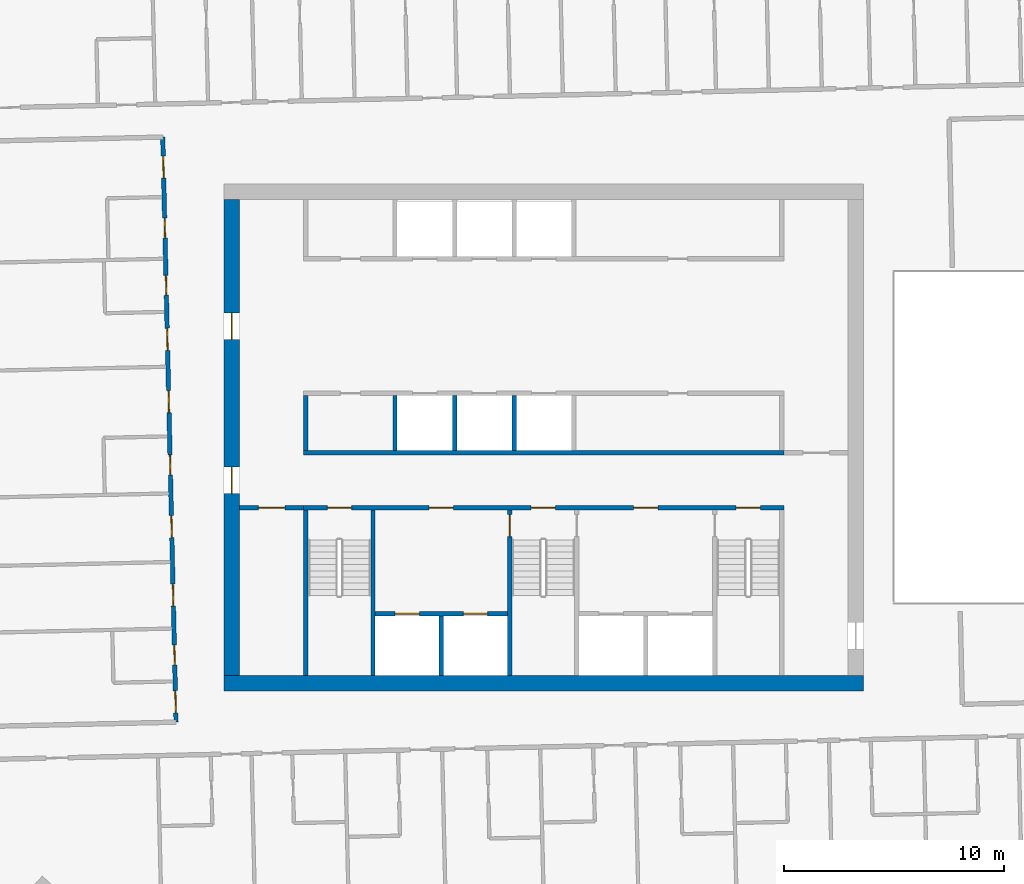
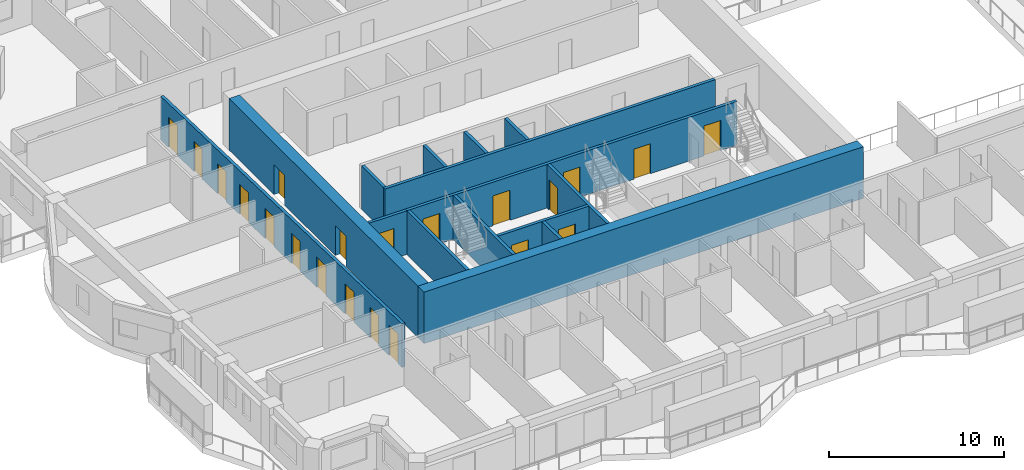
# One storey, part 9 of 20: 21 doors, 15 walls, 21 openings.
"""IFC4 building model written with IfcOpenShell, lengths in metres."""

from ifc_helpers import new_model, si_unit, direction, frame, frame_2d, origin, place, context, subcontext, project, spatial, rectangle, extrude, material, layer, layer_set, type_object, element, fill, save


model = new_model("IFC4")

# Units and contexts
model_context = context("Model", 3, precision=1e-05, world=origin(), true_north=direction((0.0, 1.0)))
body_context = subcontext(model_context, "Body", "Model", "MODEL_VIEW")
ifc_project = project(units=[si_unit("LENGTHUNIT", "METRE"), si_unit("AREAUNIT", "SQUARE_METRE"), si_unit("VOLUMEUNIT", "CUBIC_METRE"), si_unit("PLANEANGLEUNIT", "RADIAN"), si_unit("MASSUNIT", "GRAM", prefix="KILO")], contexts=[model_context])

# Site, building, storey
site_placement = place(None, origin())
site = spatial("IfcSite", under=ifc_project, at=site_placement, CompositionType="ELEMENT")
building_placement = place(site_placement, origin())
building = spatial("IfcBuilding", under=site, at=building_placement, Name="Mangrove Gate Tower", CompositionType="ELEMENT")
storey_placement = place(building_placement, frame((0.0, 0.0, 279.89990234375)))
storey = spatial("IfcBuildingStorey", under=building, at=storey_placement, Name="L71", CompositionType="ELEMENT", Elevation=279.89990234375)

# Wall, opening, door
ifc_material_1 = material(Name="Concrete C32/40", Category="concrete")
ifc_layer_1 = layer(ifc_material_1, 0.199951171875)
ifc_layer_set_1 = layer_set([ifc_layer_1], Name="Core lobby wall 200 C32/40")
wall_type_1 = type_object("IfcWallType", Name="Core lobby wall 200 C32/40", PredefinedType="STANDARD", material=ifc_layer_set_1)
wall_1_placement = place(storey_placement, frame((-13.800048828125, -3.199951171875, 0.0), z_axis=(0.0, 0.0, 1.0), x_axis=(1.0, 0.0, 0.0)))
wall_1 = element("IfcWall", 1, at=wall_1_placement, inside=storey, type_object=wall_type_1, Name="WALL-L71-CORE-31", PredefinedType="STANDARD", context=body_context, shape_type="SweptSolid", body=[
    extrude(rectangle(XDim=2.900146484375, YDim=0.199951171875, at=frame_2d((1.4501953125, 0.0))), origin(), (0.0, 0.0, 1.0), 3.050048828125),
])
opening_1_placement = place(wall_1_placement, frame((0.85009765625, 0.0, 0.0)))
opening_1 = element("IfcOpeningElement", 2, at=opening_1_placement, cuts=wall_1, Name="Opening FL12", PredefinedType="OPENING", context=body_context, shape_type="SweptSolid", body=[
    extrude(rectangle(XDim=1.199951171875, YDim=2.10009765625, at=frame_2d((0.60009765625, 1.050048828125))), frame((0.0, 0.10986328125, 0.0), z_axis=(0.0, -1.0, 0.0), x_axis=(1.0, 0.0, 0.0)), (0.0, 0.0, 1.0), 0.219970703125),
])
ifc_material_2 = material(Name="Fire-rated steel door set", Category="steel")
door_type_1 = type_object("IfcDoorType", Name="Lobby door FD60 1200x2100", OperationType="SINGLE_SWING_LEFT", PredefinedType="DOOR", material=ifc_material_2)
door_1_placement = place(opening_1_placement, origin())
door_1 = element("IfcDoor", 3, at=door_1_placement, inside=storey, type_object=door_type_1, Name="Lobby door core corridor W partition", OperationType="SINGLE_SWING_LEFT", OverallHeight=2.10009765625, OverallWidth=1.199951171875, PredefinedType="DOOR", context=body_context, shape_type="SweptSolid", body=[
    extrude(rectangle(XDim=1.199951171875, YDim=2.10009765625, at=frame_2d((0.60009765625, 1.050048828125))), frame((0.0, 0.02490234375, 0.0), z_axis=(0.0, -1.0, 0.0), x_axis=(1.0, 0.0, 0.0)), (0.0, 0.0, 1.0), 0.050048828125),
])
fill(opening_1, door_1)

# Walls
ifc_material_3 = material(Name="Concrete C32/40", Category="concrete")
ifc_layer_2 = layer(ifc_material_3, 0.199951171875)
ifc_layer_set_2 = layer_set([ifc_layer_2], Name="Core room wall 200 C32/40")
wall_type_2 = type_object("IfcWallType", Name="Core room wall 200 C32/40", PredefinedType="STANDARD", material=ifc_layer_set_2)
wall_2_placement = place(storey_placement, frame((-10.800048828125, -0.60009765625, 0.0), z_axis=(0.0, 0.0, 1.0), x_axis=(0.0, 1.0, 0.0)))
element("IfcWall", 4, at=wall_2_placement, inside=storey, type_object=wall_type_2, Name="WALL-L71-CORE-19", PredefinedType="STANDARD", context=body_context, shape_type="SweptSolid", body=[
    extrude(rectangle(XDim=2.5, YDim=0.199951171875, at=frame_2d((1.25, 0.0))), origin(), (0.0, 0.0, 1.0), 3.050048828125),
])
ifc_material_4 = material(Name="Concrete C50/60", Category="concrete")
ifc_layer_3 = layer(ifc_material_4, 0.199951171875)
ifc_layer_set_3 = layer_set([ifc_layer_3], Name="Core shaft wall 200 C50/60")
wall_type_3 = type_object("IfcWallType", Name="Core shaft wall 200 C50/60", PredefinedType="SHEAR", material=ifc_layer_set_3)
wall_3_placement = place(storey_placement, frame((-10.89990234375, -0.699951171875, 0.0), z_axis=(0.0, 0.0, 1.0), x_axis=(1.0, 0.0, 0.0)))
element("IfcWall", 5, at=wall_3_placement, inside=storey, type_object=wall_type_3, Name="WALL-L71-CORE-6", PredefinedType="SHEAR", context=body_context, shape_type="SweptSolid", body=[
    extrude(rectangle(XDim=21.7998046875, YDim=0.199951171875, at=frame_2d((10.89990234375, 0.0))), origin(), (0.0, 0.0, 1.0), 3.050048828125),
])

# Wall, openings, doors
wall_4_placement = place(storey_placement, frame((-7.64990234375, -8.0, 0.0), z_axis=(0.0, 0.0, 1.0), x_axis=(1.0, 0.0, 0.0)))
wall_4 = element("IfcWall", 6, at=wall_4_placement, inside=storey, type_object=wall_type_3, Name="WALL-L71-CORE-15", PredefinedType="SHEAR", context=body_context, shape_type="SweptSolid", body=[
    extrude(rectangle(XDim=6.0, YDim=0.199951171875, at=frame_2d((3.0, 0.0))), origin(), (0.0, 0.0, 1.0), 3.050048828125),
])
opening_2_placement = place(wall_4_placement, frame((0.89990234375, 0.0, 0.0)))
opening_2 = element("IfcOpeningElement", 7, at=opening_2_placement, cuts=wall_4, Name="Opening LD", PredefinedType="OPENING", context=body_context, shape_type="SweptSolid", body=[
    extrude(rectangle(XDim=1.10009765625, YDim=2.10009765625, at=frame_2d((0.550048828125, 1.050048828125))), frame((0.0, 0.10986328125, 0.0), z_axis=(0.0, -1.0, 0.0), x_axis=(1.0, 0.0, 0.0)), (0.0, 0.0, 1.0), 0.219970703125),
])
opening_3_placement = place(wall_4_placement, frame((4.0, 0.0, 0.0)))
opening_3 = element("IfcOpeningElement", 8, at=opening_3_placement, cuts=wall_4, Name="Opening LD", PredefinedType="OPENING", context=body_context, shape_type="SweptSolid", body=[
    extrude(rectangle(XDim=1.10009765625, YDim=2.10009765625, at=frame_2d((0.550048828125, 1.050048828125))), frame((0.0, 0.10986328125, 0.0), z_axis=(0.0, -1.0, 0.0), x_axis=(1.0, 0.0, 0.0)), (0.0, 0.0, 1.0), 0.219970703125),
])
ifc_material_5 = material(Name="Stainless steel 316", Category="steel")
door_type_2 = type_object("IfcDoorType", Name="Lift landing door 1100x2100", OperationType="SLIDING_TO_LEFT", PredefinedType="DOOR", material=ifc_material_5)
door_2_placement = place(opening_2_placement, origin())
door_2 = element("IfcDoor", 9, at=door_2_placement, inside=storey, type_object=door_type_2, Name="Landing door LD SVL1", OperationType="SLIDING_TO_LEFT", OverallHeight=2.10009765625, OverallWidth=1.10009765625, PredefinedType="DOOR", context=body_context, shape_type="SweptSolid", body=[
    extrude(rectangle(XDim=1.10009765625, YDim=2.10009765625, at=frame_2d((0.550048828125, 1.050048828125))), frame((0.0, 0.02490234375, 0.0), z_axis=(0.0, -1.0, 0.0), x_axis=(1.0, 0.0, 0.0)), (0.0, 0.0, 1.0), 0.050048828125),
])
fill(opening_2, door_2)
door_3_placement = place(opening_3_placement, origin())
door_3 = element("IfcDoor", 10, at=door_3_placement, inside=storey, type_object=door_type_2, Name="Landing door LD SVL2", OperationType="SLIDING_TO_LEFT", OverallHeight=2.10009765625, OverallWidth=1.10009765625, PredefinedType="DOOR", context=body_context, shape_type="SweptSolid", body=[
    extrude(rectangle(XDim=1.10009765625, YDim=2.10009765625, at=frame_2d((0.550048828125, 1.050048828125))), frame((0.0, 0.02490234375, 0.0), z_axis=(0.0, -1.0, 0.0), x_axis=(1.0, 0.0, 0.0)), (0.0, 0.0, 1.0), 0.050048828125),
])
fill(opening_3, door_3)

# Walls
wall_5_placement = place(storey_placement, frame((-4.64990234375, -10.800048828125, 0.0), z_axis=(0.0, 0.0, 1.0), x_axis=(0.0, 1.0, 0.0)))
element("IfcWall", 11, at=wall_5_placement, inside=storey, type_object=wall_type_3, Name="WALL-L71-CORE-16", PredefinedType="SHEAR", context=body_context, shape_type="SweptSolid", body=[
    extrude(rectangle(XDim=2.699951171875, YDim=0.199951171875, at=frame_2d((1.35009765625, 0.0))), origin(), (0.0, 0.0, 1.0), 3.050048828125),
])
for number, where, z_axis, x_axis, name in (
    (12, (-6.75, -0.60009765625, 0.0), (0.0, 0.0, 1.0), (0.0, 1.0, 0.0), "WALL-L71-CORE-20"),
    (13, (-4.050048828125, -0.60009765625, 0.0), (0.0, 0.0, 1.0), (0.0, 1.0, 0.0), "WALL-L71-CORE-21"),
    (14, (-1.35009765625, -0.60009765625, 0.0), (0.0, 0.0, 1.0), (0.0, 1.0, 0.0), "WALL-L71-CORE-22"),
):
    element("IfcWall", number, at=place(storey_placement, frame(where, z_axis=z_axis, x_axis=x_axis)), inside=storey, type_object=wall_type_3, Name=name, PredefinedType="SHEAR", context=body_context, shape_type="SweptSolid", body=[
        extrude(rectangle(XDim=2.5, YDim=0.199951171875, at=frame_2d((1.25, 0.0))), origin(), (0.0, 0.0, 1.0), 3.050048828125),
    ])

# Wall, openings, doors
ifc_material_6 = material(Name="Concrete C50/60", Category="concrete")
ifc_layer_4 = layer(ifc_material_6, 0.199951171875)
ifc_layer_set_4 = layer_set([ifc_layer_4], Name="Core stair wall 200 C50/60")
wall_type_4 = type_object("IfcWallType", Name="Core stair wall 200 C50/60", PredefinedType="SHEAR", material=ifc_layer_set_4)
wall_6_placement = place(storey_placement, frame((-10.89990234375, -3.199951171875, 0.0), z_axis=(0.0, 0.0, 1.0), x_axis=(1.0, 0.0, 0.0)))
wall_6 = element("IfcWall", 15, at=wall_6_placement, inside=storey, type_object=wall_type_4, Name="WALL-L71-CORE-5", PredefinedType="SHEAR", context=body_context, shape_type="SweptSolid", body=[
    extrude(rectangle(XDim=21.7998046875, YDim=0.199951171875, at=frame_2d((10.89990234375, 0.0))), origin(), (0.0, 0.0, 1.0), 3.050048828125),
])
opening_4_placement = place(wall_6_placement, frame((1.074951171875, 0.0, 0.0)))
opening_4 = element("IfcOpeningElement", 16, at=opening_4_placement, cuts=wall_6, Name="Opening STD11", PredefinedType="OPENING", context=body_context, shape_type="SweptSolid", body=[
    extrude(rectangle(XDim=1.10009765625, YDim=2.10009765625, at=frame_2d((0.550048828125, 1.050048828125))), frame((0.0, 0.10986328125, 0.0), z_axis=(0.0, -1.0, 0.0), x_axis=(1.0, 0.0, 0.0)), (0.0, 0.0, 1.0), 0.219970703125),
])
opening_5_placement = place(wall_6_placement, frame((10.324951171875, 0.0, 0.0)))
opening_5 = element("IfcOpeningElement", 17, at=opening_5_placement, cuts=wall_6, Name="Opening STD11", PredefinedType="OPENING", context=body_context, shape_type="SweptSolid", body=[
    extrude(rectangle(XDim=1.10009765625, YDim=2.10009765625, at=frame_2d((0.550048828125, 1.050048828125))), frame((0.0, 0.10986328125, 0.0), z_axis=(0.0, -1.0, 0.0), x_axis=(1.0, 0.0, 0.0)), (0.0, 0.0, 1.0), 0.219970703125),
])
opening_6_placement = place(wall_6_placement, frame((19.625, 0.0, 0.0)))
opening_6 = element("IfcOpeningElement", 18, at=opening_6_placement, cuts=wall_6, Name="Opening STD11", PredefinedType="OPENING", context=body_context, shape_type="SweptSolid", body=[
    extrude(rectangle(XDim=1.10009765625, YDim=2.10009765625, at=frame_2d((0.550048828125, 1.050048828125))), frame((0.0, 0.10986328125, 0.0), z_axis=(0.0, -1.0, 0.0), x_axis=(1.0, 0.0, 0.0)), (0.0, 0.0, 1.0), 0.219970703125),
])
opening_7_placement = place(wall_6_placement, frame((5.699951171875, 0.0, 0.0)))
opening_7 = element("IfcOpeningElement", 19, at=opening_7_placement, cuts=wall_6, Name="Opening FL", PredefinedType="OPENING", context=body_context, shape_type="SweptSolid", body=[
    extrude(rectangle(XDim=1.10009765625, YDim=2.10009765625, at=frame_2d((0.550048828125, 1.050048828125))), frame((0.0, 0.10986328125, 0.0), z_axis=(0.0, -1.0, 0.0), x_axis=(1.0, 0.0, 0.0)), (0.0, 0.0, 1.0), 0.219970703125),
])
opening_8_placement = place(wall_6_placement, frame((14.97509765625, 0.0, 0.0)))
opening_8 = element("IfcOpeningElement", 20, at=opening_8_placement, cuts=wall_6, Name="Opening FL", PredefinedType="OPENING", context=body_context, shape_type="SweptSolid", body=[
    extrude(rectangle(XDim=1.10009765625, YDim=2.10009765625, at=frame_2d((0.550048828125, 1.050048828125))), frame((0.0, 0.10986328125, 0.0), z_axis=(0.0, -1.0, 0.0), x_axis=(1.0, 0.0, 0.0)), (0.0, 0.0, 1.0), 0.219970703125),
])
ifc_material_7 = material(Name="Fire-rated steel door set", Category="steel")
door_type_3 = type_object("IfcDoorType", Name="Lobby door FD60 1100x2100", OperationType="SINGLE_SWING_LEFT", PredefinedType="DOOR", material=ifc_material_7)
door_4_placement = place(opening_7_placement, origin())
door_4 = element("IfcDoor", 21, at=door_4_placement, inside=storey, type_object=door_type_3, Name="Lobby door service lobby", OperationType="SINGLE_SWING_LEFT", OverallHeight=2.10009765625, OverallWidth=1.10009765625, PredefinedType="DOOR", context=body_context, shape_type="SweptSolid", body=[
    extrude(rectangle(XDim=1.10009765625, YDim=2.10009765625, at=frame_2d((0.550048828125, 1.050048828125))), frame((0.0, 0.02490234375, 0.0), z_axis=(0.0, -1.0, 0.0), x_axis=(1.0, 0.0, 0.0)), (0.0, 0.0, 1.0), 0.050048828125),
])
fill(opening_7, door_4)
door_5_placement = place(opening_8_placement, origin())
door_5 = element("IfcDoor", 22, at=door_5_placement, inside=storey, type_object=door_type_3, Name="Lobby door fire-fighting lobby", OperationType="SINGLE_SWING_LEFT", OverallHeight=2.10009765625, OverallWidth=1.10009765625, PredefinedType="DOOR", context=body_context, shape_type="SweptSolid", body=[
    extrude(rectangle(XDim=1.10009765625, YDim=2.10009765625, at=frame_2d((0.550048828125, 1.050048828125))), frame((0.0, 0.02490234375, 0.0), z_axis=(0.0, -1.0, 0.0), x_axis=(1.0, 0.0, 0.0)), (0.0, 0.0, 1.0), 0.050048828125),
])
fill(opening_8, door_5)
ifc_material_8 = material(Name="Fire-rated steel door set", Category="steel")
door_type_4 = type_object("IfcDoorType", Name="Stair door FD60 1100x2100", OperationType="SINGLE_SWING_RIGHT", PredefinedType="DOOR", material=ifc_material_8)
door_6_placement = place(opening_4_placement, origin())
door_6 = element("IfcDoor", 23, at=door_6_placement, inside=storey, type_object=door_type_4, Name="Stair door Stair 1", OperationType="SINGLE_SWING_RIGHT", OverallHeight=2.10009765625, OverallWidth=1.10009765625, PredefinedType="DOOR", context=body_context, shape_type="SweptSolid", body=[
    extrude(rectangle(XDim=1.10009765625, YDim=2.10009765625, at=frame_2d((0.550048828125, 1.050048828125))), frame((0.0, 0.02490234375, 0.0), z_axis=(0.0, -1.0, 0.0), x_axis=(1.0, 0.0, 0.0)), (0.0, 0.0, 1.0), 0.050048828125),
])
fill(opening_4, door_6)
door_7_placement = place(opening_5_placement, origin())
door_7 = element("IfcDoor", 24, at=door_7_placement, inside=storey, type_object=door_type_4, Name="Stair door Stair 2", OperationType="SINGLE_SWING_RIGHT", OverallHeight=2.10009765625, OverallWidth=1.10009765625, PredefinedType="DOOR", context=body_context, shape_type="SweptSolid", body=[
    extrude(rectangle(XDim=1.10009765625, YDim=2.10009765625, at=frame_2d((0.550048828125, 1.050048828125))), frame((0.0, 0.02490234375, 0.0), z_axis=(0.0, -1.0, 0.0), x_axis=(1.0, 0.0, 0.0)), (0.0, 0.0, 1.0), 0.050048828125),
])
fill(opening_5, door_7)
door_8_placement = place(opening_6_placement, origin())
door_8 = element("IfcDoor", 25, at=door_8_placement, inside=storey, type_object=door_type_4, Name="Stair door Stair 3", OperationType="SINGLE_SWING_RIGHT", OverallHeight=2.10009765625, OverallWidth=1.10009765625, PredefinedType="DOOR", context=body_context, shape_type="SweptSolid", body=[
    extrude(rectangle(XDim=1.10009765625, YDim=2.10009765625, at=frame_2d((0.550048828125, 1.050048828125))), frame((0.0, 0.02490234375, 0.0), z_axis=(0.0, -1.0, 0.0), x_axis=(1.0, 0.0, 0.0)), (0.0, 0.0, 1.0), 0.050048828125),
])
fill(opening_6, door_8)

# Walls
for number, where, z_axis, x_axis, name in (
    (26, (-10.800048828125, -10.800048828125, 0.0), (0.0, 0.0, 1.0), (0.0, 1.0, 0.0), "WALL-L71-CORE-9"),
    (27, (-7.75, -10.800048828125, 0.0), (0.0, 0.0, 1.0), (0.0, 1.0, 0.0), "WALL-L71-CORE-10"),
):
    element("IfcWall", number, at=place(storey_placement, frame(where, z_axis=z_axis, x_axis=x_axis)), inside=storey, type_object=wall_type_4, Name=name, PredefinedType="SHEAR", context=body_context, shape_type="SweptSolid", body=[
        extrude(rectangle(XDim=7.5, YDim=0.199951171875, at=frame_2d((3.75, 0.0))), origin(), (0.0, 0.0, 1.0), 3.050048828125),
    ])

# Wall, opening, door
wall_7_placement = place(storey_placement, frame((-1.550048828125, -10.800048828125, 0.0), z_axis=(0.0, 0.0, 1.0), x_axis=(0.0, 1.0, 0.0)))
wall_7 = element("IfcWall", 28, at=wall_7_placement, inside=storey, type_object=wall_type_4, Name="WALL-L71-CORE-11", PredefinedType="SHEAR", context=body_context, shape_type="SweptSolid", body=[
    extrude(rectangle(XDim=7.5, YDim=0.199951171875, at=frame_2d((3.75, 0.0))), origin(), (0.0, 0.0, 1.0), 3.050048828125),
])
opening_9_placement = place(wall_7_placement, frame((6.300048828125, 0.0, 0.0)))
opening_9 = element("IfcOpeningElement", 29, at=opening_9_placement, cuts=wall_7, Name="Opening STD10", PredefinedType="OPENING", context=body_context, shape_type="SweptSolid", body=[
    extrude(rectangle(XDim=1.0, YDim=2.10009765625, at=frame_2d((0.5, 1.050048828125))), frame((0.0, 0.10986328125, 0.0), z_axis=(0.0, -1.0, 0.0), x_axis=(1.0, 0.0, 0.0)), (0.0, 0.0, 1.0), 0.219970703125),
])
ifc_material_9 = material(Name="Fire-rated steel door set", Category="steel")
door_type_5 = type_object("IfcDoorType", Name="Stair door FD60 1000x2100", OperationType="SINGLE_SWING_RIGHT", PredefinedType="DOOR", material=ifc_material_9)
door_9_placement = place(opening_9_placement, origin())
door_9 = element("IfcDoor", 30, at=door_9_placement, inside=storey, type_object=door_type_5, Name="Stair door Stair 2 from service lobby", OperationType="SINGLE_SWING_RIGHT", OverallHeight=2.10009765625, OverallWidth=1.0, PredefinedType="DOOR", context=body_context, shape_type="SweptSolid", body=[
    extrude(rectangle(XDim=1.0, YDim=2.10009765625, at=frame_2d((0.5, 1.050048828125))), frame((0.0, 0.02490234375, 0.0), z_axis=(0.0, -1.0, 0.0), x_axis=(1.0, 0.0, 0.0)), (0.0, 0.0, 1.0), 0.050048828125),
])
fill(opening_9, door_9)

# Wall
ifc_material_10 = material(Name="Concrete C50/60", Category="concrete")
ifc_layer_5 = layer(ifc_material_10, 0.699951171875)
ifc_layer_set_5 = layer_set([ifc_layer_5], Name="Core wall 700 C50/60")
wall_type_5 = type_object("IfcWallType", Name="Core wall 700 C50/60", PredefinedType="SHEAR", material=ifc_layer_set_5)
wall_8_placement = place(storey_placement, frame((-14.5, -11.14990234375, 0.0), z_axis=(0.0, 0.0, 1.0), x_axis=(1.0, 0.0, 0.0)))
element("IfcWall", 31, at=wall_8_placement, inside=storey, type_object=wall_type_5, Name="WALL-L71-CORE-1", PredefinedType="SHEAR", context=body_context, shape_type="SweptSolid", body=[
    extrude(rectangle(XDim=29.0, YDim=0.699951171875, at=frame_2d((14.5, 0.0))), origin(), (0.0, 0.0, 1.0), 3.60009765625),
])

# Wall, openings, doors
wall_9_placement = place(storey_placement, frame((-14.14990234375, -10.800048828125, 0.0), z_axis=(0.0, 0.0, 1.0), x_axis=(0.0, 1.0, 0.0)))
wall_9 = element("IfcWall", 32, at=wall_9_placement, inside=storey, type_object=wall_type_5, Name="WALL-L71-CORE-3", PredefinedType="SHEAR", context=body_context, shape_type="SweptSolid", body=[
    extrude(rectangle(XDim=21.60009765625, YDim=0.699951171875, at=frame_2d((10.800048828125, 0.0))), origin(), (0.0, 0.0, 1.0), 3.60009765625),
])
opening_10_placement = place(wall_9_placement, frame((8.25, 0.0, 0.0)))
opening_10 = element("IfcOpeningElement", 33, at=opening_10_placement, cuts=wall_9, Name="Opening CD", PredefinedType="OPENING", context=body_context, shape_type="SweptSolid", body=[
    extrude(rectangle(XDim=1.199951171875, YDim=2.10009765625, at=frame_2d((0.60009765625, 1.050048828125))), frame((0.0, 0.35986328125, 0.0), z_axis=(0.0, -1.0, 0.0), x_axis=(1.0, 0.0, 0.0)), (0.0, 0.0, 1.0), 0.719970703125),
])
opening_11_placement = place(wall_9_placement, frame((15.25, 0.0, 0.0)))
opening_11 = element("IfcOpeningElement", 34, at=opening_11_placement, cuts=wall_9, Name="Opening CD", PredefinedType="OPENING", context=body_context, shape_type="SweptSolid", body=[
    extrude(rectangle(XDim=1.199951171875, YDim=2.10009765625, at=frame_2d((0.60009765625, 1.050048828125))), frame((0.0, 0.35986328125, 0.0), z_axis=(0.0, -1.0, 0.0), x_axis=(1.0, 0.0, 0.0)), (0.0, 0.0, 1.0), 0.719970703125),
])
ifc_material_11 = material(Name="Fire-rated steel door set", Category="steel")
door_type_6 = type_object("IfcDoorType", Name="Core ring door FD60 1200x2100", OperationType="DOUBLE_DOOR_SINGLE_SWING", PredefinedType="DOOR", material=ifc_material_11)
door_10_placement = place(opening_10_placement, origin())
door_10 = element("IfcDoor", 35, at=door_10_placement, inside=storey, type_object=door_type_6, Name="Core ring door W1", OperationType="DOUBLE_DOOR_SINGLE_SWING", OverallHeight=2.10009765625, OverallWidth=1.199951171875, PredefinedType="DOOR", context=body_context, shape_type="SweptSolid", body=[
    extrude(rectangle(XDim=1.199951171875, YDim=2.10009765625, at=frame_2d((0.60009765625, 1.050048828125))), frame((0.0, 0.02490234375, 0.0), z_axis=(0.0, -1.0, 0.0), x_axis=(1.0, 0.0, 0.0)), (0.0, 0.0, 1.0), 0.050048828125),
])
fill(opening_10, door_10)
door_11_placement = place(opening_11_placement, origin())
door_11 = element("IfcDoor", 36, at=door_11_placement, inside=storey, type_object=door_type_6, Name="Core ring door W2", OperationType="DOUBLE_DOOR_SINGLE_SWING", OverallHeight=2.10009765625, OverallWidth=1.199951171875, PredefinedType="DOOR", context=body_context, shape_type="SweptSolid", body=[
    extrude(rectangle(XDim=1.199951171875, YDim=2.10009765625, at=frame_2d((0.60009765625, 1.050048828125))), frame((0.0, 0.02490234375, 0.0), z_axis=(0.0, -1.0, 0.0), x_axis=(1.0, 0.0, 0.0)), (0.0, 0.0, 1.0), 0.050048828125),
])
fill(opening_11, door_11)

ifc_material_12 = material(Name="Gypsum board on steel stud, EI 60", Category="steel")
ifc_layer_6 = layer(ifc_material_12, 0.199951171875)
ifc_layer_set_6 = layer_set([ifc_layer_6], Name="Corridor wall EI 60")
wall_type_6 = type_object("IfcWallType", Name="Corridor wall EI 60", PredefinedType="PARTITIONING", material=ifc_layer_set_6)
wall_10_placement = place(storey_placement, frame((-16.68408203125, -12.9189453125, 0.0), z_axis=(0.0, 0.0, 1.0), x_axis=(-0.022712214871, 0.999742044377, 0.0)))
wall_10 = element("IfcWall", 37, at=wall_10_placement, inside=storey, type_object=wall_type_6, Name="WALL-L71-033", PredefinedType="PARTITIONING", context=body_context, shape_type="SweptSolid", body=[
    extrude(rectangle(XDim=26.55078125, YDim=0.199951171875, at=frame_2d((13.275390625, 0.0))), origin(), (0.0, 0.0, 1.0), 3.050048828125),
])
opening_12_placement = place(wall_10_placement, frame((24.68798828125, 0.0, 0.0)))
opening_12 = element("IfcOpeningElement", 38, at=opening_12_placement, cuts=wall_10, Name="Opening AD", PredefinedType="OPENING", context=body_context, shape_type="SweptSolid", body=[
    extrude(rectangle(XDim=1.0, YDim=2.10009765625, at=frame_2d((0.5, 1.050048828125))), frame((0.0, 0.10986328125, 0.0), z_axis=(0.0, -1.0, 0.0), x_axis=(1.0, 0.0, 0.0)), (0.0, 0.0, 1.0), 0.219970703125),
])
opening_13_placement = place(wall_10_placement, frame((21.97509765625, 0.0, 0.0)))
opening_13 = element("IfcOpeningElement", 39, at=opening_13_placement, cuts=wall_10, Name="Opening SD", PredefinedType="OPENING", context=body_context, shape_type="SweptSolid", body=[
    extrude(rectangle(XDim=0.89990234375, YDim=2.10009765625, at=frame_2d((0.449951171875, 1.050048828125))), frame((0.0, 0.10986328125, 0.0), z_axis=(0.0, -1.0, 0.0), x_axis=(1.0, 0.0, 0.0)), (0.0, 0.0, 1.0), 0.219970703125),
])
opening_14_placement = place(wall_10_placement, frame((16.875, 0.0, 0.0)))
opening_14 = element("IfcOpeningElement", 40, at=opening_14_placement, cuts=wall_10, Name="Opening AD", PredefinedType="OPENING", context=body_context, shape_type="SweptSolid", body=[
    extrude(rectangle(XDim=1.0, YDim=2.10009765625, at=frame_2d((0.5, 1.050048828125))), frame((0.0, 0.10986328125, 0.0), z_axis=(0.0, -1.0, 0.0), x_axis=(1.0, 0.0, 0.0)), (0.0, 0.0, 1.0), 0.219970703125),
])
opening_15_placement = place(wall_10_placement, frame((19.375, 0.0, 0.0)))
opening_15 = element("IfcOpeningElement", 41, at=opening_15_placement, cuts=wall_10, Name="Opening SD", PredefinedType="OPENING", context=body_context, shape_type="SweptSolid", body=[
    extrude(rectangle(XDim=0.89990234375, YDim=2.10009765625, at=frame_2d((0.449951171875, 1.050048828125))), frame((0.0, 0.10986328125, 0.0), z_axis=(0.0, -1.0, 0.0), x_axis=(1.0, 0.0, 0.0)), (0.0, 0.0, 1.0), 0.219970703125),
])
opening_16_placement = place(wall_10_placement, frame((14.050048828125, 0.0, 0.0)))
opening_16 = element("IfcOpeningElement", 42, at=opening_16_placement, cuts=wall_10, Name="Opening AD", PredefinedType="OPENING", context=body_context, shape_type="SweptSolid", body=[
    extrude(rectangle(XDim=1.0, YDim=2.10009765625, at=frame_2d((0.5, 1.050048828125))), frame((0.0, 0.10986328125, 0.0), z_axis=(0.0, -1.0, 0.0), x_axis=(1.0, 0.0, 0.0)), (0.0, 0.0, 1.0), 0.219970703125),
])
opening_17_placement = place(wall_10_placement, frame((11.22509765625, 0.0, 0.0)))
opening_17 = element("IfcOpeningElement", 43, at=opening_17_placement, cuts=wall_10, Name="Opening SD", PredefinedType="OPENING", context=body_context, shape_type="SweptSolid", body=[
    extrude(rectangle(XDim=0.89990234375, YDim=2.10009765625, at=frame_2d((0.449951171875, 1.050048828125))), frame((0.0, 0.10986328125, 0.0), z_axis=(0.0, -1.0, 0.0), x_axis=(1.0, 0.0, 0.0)), (0.0, 0.0, 1.0), 0.219970703125),
])
opening_18_placement = place(wall_10_placement, frame((8.3701171875, 0.0, 0.0)))
opening_18 = element("IfcOpeningElement", 44, at=opening_18_placement, cuts=wall_10, Name="Opening AD", PredefinedType="OPENING", context=body_context, shape_type="SweptSolid", body=[
    extrude(rectangle(XDim=1.0, YDim=2.10009765625, at=frame_2d((0.5, 1.050048828125))), frame((0.0, 0.10986328125, 0.0), z_axis=(0.0, -1.0, 0.0), x_axis=(1.0, 0.0, 0.0)), (0.0, 0.0, 1.0), 0.219970703125),
])
opening_19_placement = place(wall_10_placement, frame((5.262939453125, 0.0, 0.0)))
opening_19 = element("IfcOpeningElement", 45, at=opening_19_placement, cuts=wall_10, Name="Opening AD", PredefinedType="OPENING", context=body_context, shape_type="SweptSolid", body=[
    extrude(rectangle(XDim=1.0, YDim=2.10009765625, at=frame_2d((0.5, 1.050048828125))), frame((0.0, 0.10986328125, 0.0), z_axis=(0.0, -1.0, 0.0), x_axis=(1.0, 0.0, 0.0)), (0.0, 0.0, 1.0), 0.219970703125),
])
opening_20_placement = place(wall_10_placement, frame((0.425048828125, 0.0, 0.0)))
opening_20 = element("IfcOpeningElement", 46, at=opening_20_placement, cuts=wall_10, Name="Opening AD", PredefinedType="OPENING", context=body_context, shape_type="SweptSolid", body=[
    extrude(rectangle(XDim=1.0, YDim=2.10009765625, at=frame_2d((0.5, 1.050048828125))), frame((0.0, 0.10986328125, 0.0), z_axis=(0.0, -1.0, 0.0), x_axis=(1.0, 0.0, 0.0)), (0.0, 0.0, 1.0), 0.219970703125),
])
opening_21_placement = place(wall_10_placement, frame((2.60009765625, 0.0, 0.0)))
opening_21 = element("IfcOpeningElement", 47, at=opening_21_placement, cuts=wall_10, Name="Opening SD", PredefinedType="OPENING", context=body_context, shape_type="SweptSolid", body=[
    extrude(rectangle(XDim=0.89990234375, YDim=2.10009765625, at=frame_2d((0.449951171875, 1.050048828125))), frame((0.0, 0.10986328125, 0.0), z_axis=(0.0, -1.0, 0.0), x_axis=(1.0, 0.0, 0.0)), (0.0, 0.0, 1.0), 0.219970703125),
])
ifc_material_13 = material(Name="Timber door leaf", Category="wood")
door_type_7 = type_object("IfcDoorType", Name="Amenity door 1000", OperationType="SINGLE_SWING_LEFT", PredefinedType="DOOR", material=ifc_material_13)
door_12_placement = place(opening_12_placement, origin())
door_12 = element("IfcDoor", 48, at=door_12_placement, inside=storey, type_object=door_type_7, Name="DOOR-L71-GAM-c5a", OperationType="SINGLE_SWING_LEFT", OverallHeight=2.10009765625, OverallWidth=1.0, PredefinedType="DOOR", context=body_context, shape_type="SweptSolid", body=[
    extrude(rectangle(XDim=1.0, YDim=2.10009765625, at=frame_2d((0.5, 1.050048828125))), frame((0.0, 0.02490234375, 0.0), z_axis=(0.0, -1.0, 0.0), x_axis=(1.0, 0.0, 0.0)), (0.0, 0.0, 1.0), 0.050048828125),
])
fill(opening_12, door_12)
door_13_placement = place(opening_14_placement, origin())
door_13 = element("IfcDoor", 49, at=door_13_placement, inside=storey, type_object=door_type_7, Name="DOOR-L71-LNG-c5b", OperationType="SINGLE_SWING_RIGHT", OverallHeight=2.10009765625, OverallWidth=1.0, PredefinedType="DOOR", context=body_context, shape_type="SweptSolid", body=[
    extrude(rectangle(XDim=1.0, YDim=2.10009765625, at=frame_2d((0.5, 1.050048828125))), frame((0.0, 0.02490234375, 0.0), z_axis=(0.0, -1.0, 0.0), x_axis=(1.0, 0.0, 0.0)), (0.0, 0.0, 1.0), 0.050048828125),
])
fill(opening_14, door_13)
door_14_placement = place(opening_16_placement, origin())
door_14 = element("IfcDoor", 50, at=door_14_placement, inside=storey, type_object=door_type_7, Name="DOOR-L71-LNG-c5c", OperationType="SINGLE_SWING_LEFT", OverallHeight=2.10009765625, OverallWidth=1.0, PredefinedType="DOOR", context=body_context, shape_type="SweptSolid", body=[
    extrude(rectangle(XDim=1.0, YDim=2.10009765625, at=frame_2d((0.5, 1.050048828125))), frame((0.0, 0.02490234375, 0.0), z_axis=(0.0, -1.0, 0.0), x_axis=(1.0, 0.0, 0.0)), (0.0, 0.0, 1.0), 0.050048828125),
])
fill(opening_16, door_14)
door_15_placement = place(opening_18_placement, origin())
door_15 = element("IfcDoor", 51, at=door_15_placement, inside=storey, type_object=door_type_7, Name="DOOR-L71-STU-c5a", OperationType="SINGLE_SWING_RIGHT", OverallHeight=2.10009765625, OverallWidth=1.0, PredefinedType="DOOR", context=body_context, shape_type="SweptSolid", body=[
    extrude(rectangle(XDim=1.0, YDim=2.10009765625, at=frame_2d((0.5, 1.050048828125))), frame((0.0, 0.02490234375, 0.0), z_axis=(0.0, -1.0, 0.0), x_axis=(1.0, 0.0, 0.0)), (0.0, 0.0, 1.0), 0.050048828125),
])
fill(opening_18, door_15)
door_16_placement = place(opening_19_placement, origin())
door_16 = element("IfcDoor", 52, at=door_16_placement, inside=storey, type_object=door_type_7, Name="DOOR-L71-STU-c5b", OperationType="SINGLE_SWING_LEFT", OverallHeight=2.10009765625, OverallWidth=1.0, PredefinedType="DOOR", context=body_context, shape_type="SweptSolid", body=[
    extrude(rectangle(XDim=1.0, YDim=2.10009765625, at=frame_2d((0.5, 1.050048828125))), frame((0.0, 0.02490234375, 0.0), z_axis=(0.0, -1.0, 0.0), x_axis=(1.0, 0.0, 0.0)), (0.0, 0.0, 1.0), 0.050048828125),
])
fill(opening_19, door_16)
door_17_placement = place(opening_20_placement, origin())
door_17 = element("IfcDoor", 53, at=door_17_placement, inside=storey, type_object=door_type_7, Name="DOOR-L71-KIT-c5a", OperationType="SINGLE_SWING_RIGHT", OverallHeight=2.10009765625, OverallWidth=1.0, PredefinedType="DOOR", context=body_context, shape_type="SweptSolid", body=[
    extrude(rectangle(XDim=1.0, YDim=2.10009765625, at=frame_2d((0.5, 1.050048828125))), frame((0.0, 0.02490234375, 0.0), z_axis=(0.0, -1.0, 0.0), x_axis=(1.0, 0.0, 0.0)), (0.0, 0.0, 1.0), 0.050048828125),
])
fill(opening_20, door_17)
ifc_material_14 = material(Name="Timber door leaf", Category="wood")
door_type_8 = type_object("IfcDoorType", Name="Service room door 900", OperationType="SINGLE_SWING_LEFT", PredefinedType="DOOR", material=ifc_material_14)
door_18_placement = place(opening_13_placement, origin())
door_18 = element("IfcDoor", 54, at=door_18_placement, inside=storey, type_object=door_type_8, Name="DOOR-L71-LDY-c5a", OperationType="SINGLE_SWING_RIGHT", OverallHeight=2.10009765625, OverallWidth=0.89990234375, PredefinedType="DOOR", context=body_context, shape_type="SweptSolid", body=[
    extrude(rectangle(XDim=0.89990234375, YDim=2.10009765625, at=frame_2d((0.449951171875, 1.050048828125))), frame((0.0, 0.02490234375, 0.0), z_axis=(0.0, -1.0, 0.0), x_axis=(1.0, 0.0, 0.0)), (0.0, 0.0, 1.0), 0.050048828125),
])
fill(opening_13, door_18)
door_19_placement = place(opening_15_placement, origin())
door_19 = element("IfcDoor", 55, at=door_19_placement, inside=storey, type_object=door_type_8, Name="DOOR-L71-WC-c5a", OperationType="SINGLE_SWING_LEFT", OverallHeight=2.10009765625, OverallWidth=0.89990234375, PredefinedType="DOOR", context=body_context, shape_type="SweptSolid", body=[
    extrude(rectangle(XDim=0.89990234375, YDim=2.10009765625, at=frame_2d((0.449951171875, 1.050048828125))), frame((0.0, 0.02490234375, 0.0), z_axis=(0.0, -1.0, 0.0), x_axis=(1.0, 0.0, 0.0)), (0.0, 0.0, 1.0), 0.050048828125),
])
fill(opening_15, door_19)
door_20_placement = place(opening_17_placement, origin())
door_20 = element("IfcDoor", 56, at=door_20_placement, inside=storey, type_object=door_type_8, Name="DOOR-L71-AWC-c5b", OperationType="SINGLE_SWING_RIGHT", OverallHeight=2.10009765625, OverallWidth=0.89990234375, PredefinedType="DOOR", context=body_context, shape_type="SweptSolid", body=[
    extrude(rectangle(XDim=0.89990234375, YDim=2.10009765625, at=frame_2d((0.449951171875, 1.050048828125))), frame((0.0, 0.02490234375, 0.0), z_axis=(0.0, -1.0, 0.0), x_axis=(1.0, 0.0, 0.0)), (0.0, 0.0, 1.0), 0.050048828125),
])
fill(opening_17, door_20)
door_21_placement = place(opening_21_placement, origin())
door_21 = element("IfcDoor", 57, at=door_21_placement, inside=storey, type_object=door_type_8, Name="DOOR-L71-WC-c5b", OperationType="SINGLE_SWING_LEFT", OverallHeight=2.10009765625, OverallWidth=0.89990234375, PredefinedType="DOOR", context=body_context, shape_type="SweptSolid", body=[
    extrude(rectangle(XDim=0.89990234375, YDim=2.10009765625, at=frame_2d((0.449951171875, 1.050048828125))), frame((0.0, 0.02490234375, 0.0), z_axis=(0.0, -1.0, 0.0), x_axis=(1.0, 0.0, 0.0)), (0.0, 0.0, 1.0), 0.050048828125),
])
fill(opening_21, door_21)

save(model, "model.ifc")
